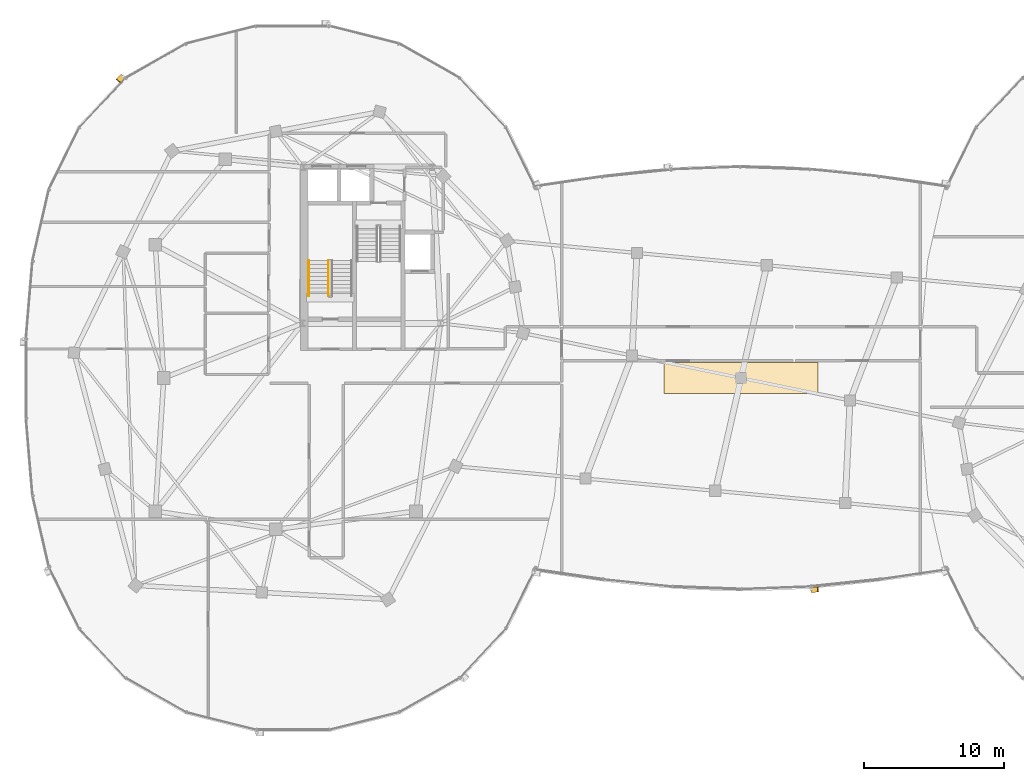
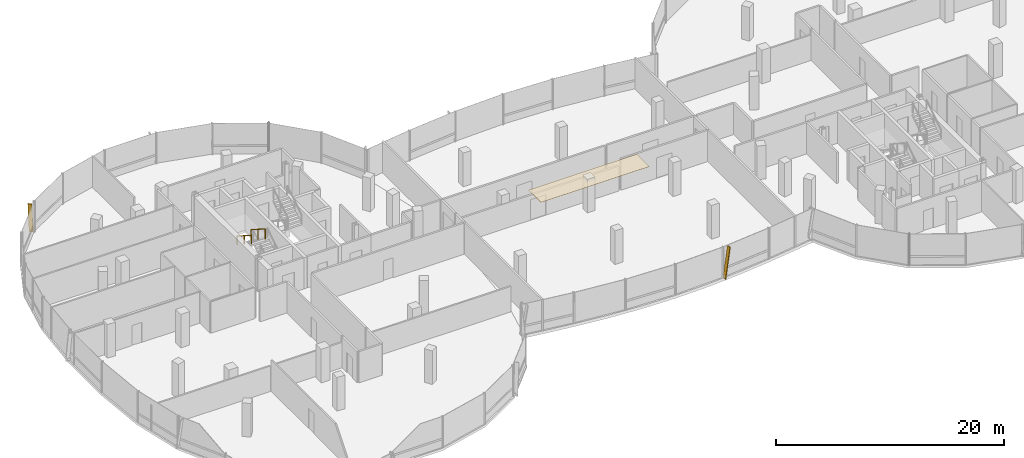
# One storey, part 22 of 25: 2 railings, 2 shading devices, 1 covering.
"""IFC4 building model written with IfcOpenShell, lengths in metres."""

from ifc_helpers import new_model, si_unit, direction, frame, origin, origin_2d, place, context, subcontext, project, spatial, polyline, rectangle, outline, extrude, material, layer, layer_set, material_profile, profile_set, type_object, element, save


model = new_model("IFC4")

# Units and contexts
model_context = context("Model", 3, precision=1e-05, world=origin(), true_north=direction((0.0, 1.0)))
body_context = subcontext(model_context, "Body", "Model", "MODEL_VIEW")
ifc_project = project(units=[si_unit("LENGTHUNIT", "METRE"), si_unit("AREAUNIT", "SQUARE_METRE"), si_unit("VOLUMEUNIT", "CUBIC_METRE"), si_unit("PLANEANGLEUNIT", "RADIAN"), si_unit("MASSUNIT", "GRAM", prefix="KILO"), si_unit("THERMODYNAMICTEMPERATUREUNIT", "KELVIN"), si_unit("POWERUNIT", "WATT")], contexts=[model_context])

# Site, building, storey
site_placement = place(None, origin())
site = spatial("IfcSite", under=ifc_project, at=site_placement, CompositionType="ELEMENT")
building_placement = place(site_placement, origin())
building = spatial("IfcBuilding", under=site, at=building_placement, Name="Cundina Bronze Exchange", CompositionType="ELEMENT")
storey_placement = place(building_placement, frame((0.0, 0.0, 254.0)))
storey = spatial("IfcBuildingStorey", under=building, at=storey_placement, Name="L67", CompositionType="ELEMENT", Elevation=254.0)

# Covering
ifc_material_1 = material(Name="Mineral Acoustic Ceiling Tile 18mm")
ifc_layer = layer(ifc_material_1, 0.01806640625, Name="Mineral Acoustic Ceiling Tile 18mm")
ifc_layer_set = layer_set([ifc_layer], Name="Mineral Acoustic Ceiling Tile 18mm")
covering_type = type_object("IfcCoveringType", Name="COV-CLG-AC18", PredefinedType="CEILING", material=ifc_layer_set)
covering_placement = place(storey_placement, frame((0.0, 0.0, 3.322021484375)))
element("IfcCovering", 1, at=covering_placement, inside=storey, type_object=covering_type, Name="L67 Suspended Mineral Acoustic Ceiling", PredefinedType="CEILING", context=body_context, shape_type="SweptSolid", body=[
    extrude(outline(polyline([(-5.5, -1.10009765625), (5.5, -1.10009765625), (5.5, 1.10009765625), (-5.5, 1.10009765625), (-5.5, -1.10009765625)])), origin(), (0.0, 0.0, 1.0), 0.01806640625),
])

# Railings
ifc_material_2 = material(Name="Steel ASTM A36 Painted", Category="steel")
railing_type_1 = type_object("IfcRailingType", Name="RLG-HND-900", PredefinedType="HANDRAIL", material=ifc_material_2)
railing_1_placement = place(storey_placement, frame((-30.85009765625, 8.3701171875, 1.97998046875)))
element("IfcRailing", 2, at=railing_1_placement, inside=storey, type_object=railing_type_1, Name="L67 ST-W1 stair handrail 2", PredefinedType="HANDRAIL", context=body_context, shape_type="SweptSolid", body=[
    extrude(rectangle(XDim=0.048095703125, YDim=0.048095703125, at=origin_2d()), frame((0.0, 0.0, 0.8759765625), z_axis=(0.0, -0.841162588446, 0.540782303519), x_axis=(1.0, 0.0, 0.0)), (0.0, 0.0, 1.0), 2.995849609375),
    extrude(rectangle(XDim=0.0419921875, YDim=0.0419921875, at=origin_2d()), origin(), (0.0, 0.0, 1.0), 0.851806640625),
    extrude(rectangle(XDim=0.0419921875, YDim=0.0419921875, at=origin_2d()), frame((0.0, -1.260009765625, 0.81005859375)), (0.0, 0.0, 1.0), 0.851806640625),
    extrude(rectangle(XDim=0.0419921875, YDim=0.0419921875, at=origin_2d()), frame((0.0, -2.52001953125, 1.6201171875)), (0.0, 0.0, 1.0), 0.851806640625),
])
railing_type_2 = type_object("IfcRailingType", Name="RLG-STG-1100", PredefinedType="GUARDRAIL", material=ifc_material_2)
railing_2_placement = place(storey_placement, frame((-29.449951171875, 8.3701171875, 1.97998046875)))
element("IfcRailing", 3, at=railing_2_placement, inside=storey, type_object=railing_type_2, Name="L67 ST-W1 stair guard 3", PredefinedType="GUARDRAIL", context=body_context, shape_type="SweptSolid", body=[
    extrude(rectangle(XDim=0.048095703125, YDim=0.048095703125, at=origin_2d()), frame((0.0, 0.0, 1.076171875), z_axis=(0.0, -0.841162588446, 0.540782303519), x_axis=(1.0, 0.0, 0.0)), (0.0, 0.0, 1.0), 2.995849609375),
    extrude(rectangle(XDim=0.0419921875, YDim=0.0419921875, at=origin_2d()), origin(), (0.0, 0.0, 1.0), 1.052001953125),
    extrude(rectangle(XDim=0.0419921875, YDim=0.0419921875, at=origin_2d()), frame((0.0, -1.260009765625, 0.81005859375)), (0.0, 0.0, 1.0), 1.052001953125),
    extrude(rectangle(XDim=0.0419921875, YDim=0.0419921875, at=origin_2d()), frame((0.0, -2.52001953125, 1.6201171875)), (0.0, 0.0, 1.0), 1.052001953125),
])

# Shading devices
ifc_material_3 = material(Name="Anodised Bronze Aluminium 6063-T6", Category="aluminium")
ifc_material_profile = material_profile(ifc_material_3, rectangle(XDim=0.070068359375, YDim=0.3798828125, at=origin_2d()), Name="FIN70X380", Category="aluminium")
ifc_profile_set = profile_set([ifc_material_profile], Name="Anodised Bronze Aluminium 6063-T6")
shading_device_type = type_object("IfcShadingDeviceType", Name="SHD-FIN-BRZ380", PredefinedType="USERDEFINED", material=ifc_profile_set)
shading_device_1_placement = place(storey_placement, frame((-44.122314453125, 21.55078125, 0.02001953125), z_axis=(-0.098541444371, -0.10491076507, 0.989587446926), x_axis=(0.677505727677, 0.721296959704, 0.143932918008)))
element("IfcShadingDevice", 4, at=shading_device_1_placement, inside=storey, type_object=shading_device_type, Name="L67 Diagonal Bronze Solar Fin 1", ObjectType="FIN", PredefinedType="USERDEFINED", context=body_context, shape_type="SweptSolid", body=[
    extrude(rectangle(XDim=0.070068359375, YDim=0.3798828125, at=origin_2d()), origin(), (0.0, 0.0, 1.0), 3.334716796875),
])
shading_device_2_placement = place(storey_placement, frame((5.0146484375, -15.12890625, 0.02001953125), z_axis=(0.145724273631, 0.015056932621, 0.989210657471), x_axis=(-0.983972150742, -0.101668733734, 0.14650008582)))
element("IfcShadingDevice", 5, at=shading_device_2_placement, inside=storey, type_object=shading_device_type, Name="L67 Diagonal Bronze Solar Fin 5", ObjectType="FIN", PredefinedType="USERDEFINED", context=body_context, shape_type="SweptSolid", body=[
    extrude(rectangle(XDim=0.070068359375, YDim=0.3798828125, at=origin_2d()), origin(), (0.0, 0.0, 1.0), 3.275390625),
])

save(model, "model.ifc")
